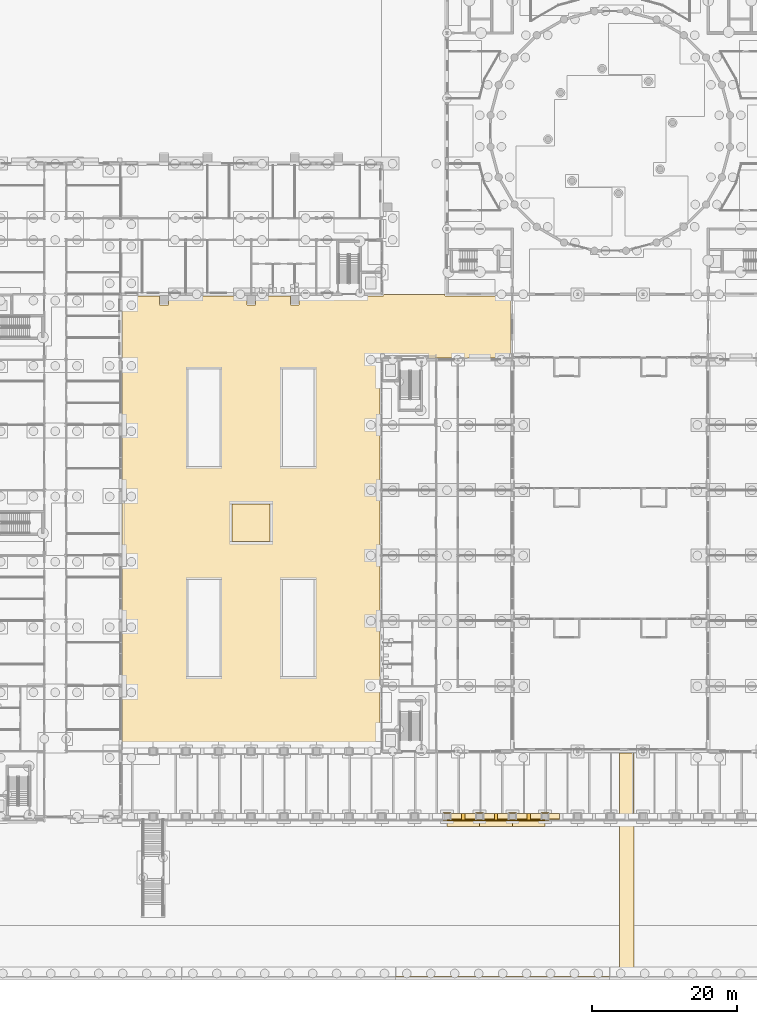
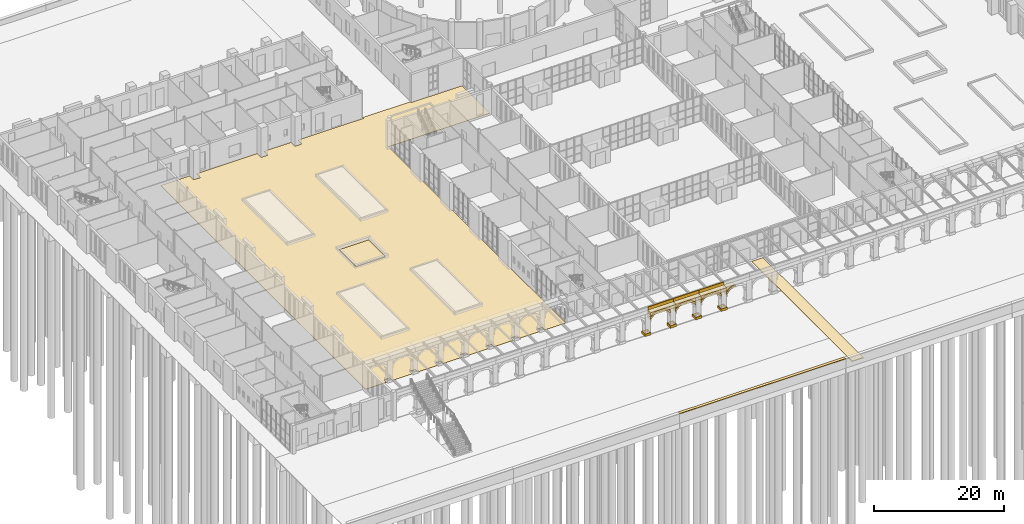
# One storey, part 131 of 168: 31 coverings.
"""IFC4 building model written with IfcOpenShell, lengths in metres."""

import ifcopenshell
import ifcopenshell.guid

model = None  # the IFC model being written
_history = None  # IfcOwnerHistory: only IFC2X3 demands one
_inside = {}  # id of a spatial element -> (the spatial element, [elements in it])
_under = {}  # id of a project, library or spatial element -> (it, [spatial elements below it])
_declared = {}  # id of a project -> (the project, [libraries it declares])
_typed = {}  # id of a type object -> (the type object, [elements of that type])
_made_of = {}  # id of a material, layer set ... -> (it, [elements and type objects made of it])


def new_model(schema):
    """Start an empty IFC model of exactly this schema.

    Asked for "IFC4X3", IfcOpenShell would pick the latest addendum, in which some entities
    have other attributes; the version numbers below select the first issue.
    IFC2X3 requires an IfcOwnerHistory on every rooted entity: one is made here for all.
    """
    global model, _history
    if schema == "IFC4X3":
        model = ifcopenshell.file(schema_version=(4, 3, 0, 0))
    else:
        model = ifcopenshell.file(schema=schema)
    _inside.clear()
    _under.clear()
    _declared.clear()
    _typed.clear()
    _made_of.clear()
    _history = None
    if model.schema == "IFC2X3":
        org = make("IfcOrganization", Name="unknown")
        user = make(
            "IfcPersonAndOrganization",
            ThePerson=make("IfcPerson", FamilyName="unknown"),
            TheOrganization=org,
        )
        app = make(
            "IfcApplication",
            ApplicationDeveloper=org,
            Version="unknown",
            ApplicationFullName="unknown",
            ApplicationIdentifier="unknown",
        )
        _history = make(
            "IfcOwnerHistory",
            OwningUser=user,
            OwningApplication=app,
            ChangeAction="ADDED",
            CreationDate=0,
        )
    return model


def make(cls, **values):
    """One entity of the class cls with the attributes given. An attribute that is None is left unset."""
    return model.create_entity(
        cls, **{name: value for name, value in values.items() if value is not None}
    )


def rooted(cls, **values):
    """An entity with a GlobalId (a new one), such as an element, a storey or a relation."""
    return make(cls, GlobalId=ifcopenshell.guid.new(), OwnerHistory=_history, **values)


def si_unit(unit_type, name, prefix=None):
    """IfcSIUnit, for example si_unit("LENGTHUNIT", "METRE", prefix="MILLI")."""
    return make("IfcSIUnit", UnitType=unit_type, Prefix=prefix, Name=name)


def assignment(units):
    """IfcUnitAssignment: the units of a project."""
    return None if units is None else make("IfcUnitAssignment", Units=units)


def point(xyz):
    """IfcCartesianPoint."""
    return None if xyz is None else make("IfcCartesianPoint", Coordinates=xyz)


def direction(xyz):
    """IfcDirection."""
    return None if xyz is None else make("IfcDirection", DirectionRatios=xyz)


def frame(location, z_axis=None, x_axis=None):
    """IfcAxis2Placement3D, a coordinate frame: its origin and axes. An axis left out is left unset."""
    return make(
        "IfcAxis2Placement3D",
        Location=point(location),
        Axis=direction(z_axis),
        RefDirection=direction(x_axis),
    )


def frame_2d(location, x_axis=None):
    """IfcAxis2Placement2D, a coordinate frame in the plane: its origin and x axis."""
    return make(
        "IfcAxis2Placement2D", Location=point(location), RefDirection=direction(x_axis)
    )


def origin():
    """The frame at (0, 0, 0) with its axes left unset."""
    return frame((0.0, 0.0, 0.0))


def origin_2d():
    """The frame at (0, 0) in the plane with its x axis left unset."""
    return frame_2d((0.0, 0.0))


def place(relative_to, where):
    """IfcLocalPlacement: puts the frame where relative to a parent placement (None: the world)."""
    return make(
        "IfcLocalPlacement", PlacementRelTo=relative_to, RelativePlacement=where
    )


def context(
    kind, dimensions, precision=None, world=None, true_north=None, identifier=None
):
    """IfcGeometricRepresentationContext, for example the 3D "Model" context."""
    return make(
        "IfcGeometricRepresentationContext",
        ContextIdentifier=identifier,
        ContextType=kind,
        CoordinateSpaceDimension=dimensions,
        Precision=precision,
        WorldCoordinateSystem=world,
        TrueNorth=true_north,
    )


def subcontext(parent, identifier, kind, view, scale=None):
    """IfcGeometricRepresentationSubContext, for example "Body" below "Model"."""
    return make(
        "IfcGeometricRepresentationSubContext",
        ContextIdentifier=identifier,
        ContextType=kind,
        ParentContext=parent,
        TargetScale=scale,
        TargetView=view,
    )


def project(units=None, contexts=None):
    """IfcProject with its units and contexts."""
    return rooted(
        "IfcProject",
        Name="project",
        RepresentationContexts=contexts,
        UnitsInContext=assignment(units),
    )


def spatial(cls, under=None, at=None, **own):
    """A site, building, storey or space (cls), placed at a placement, below another one or the project."""
    s = rooted(cls, ObjectPlacement=at, **own)
    if under is not None:
        _under.setdefault(under.id(), (under, []))[1].append(s)
    return s


def polyline(points):
    """IfcPolyline through the points."""
    return make("IfcPolyline", Points=[point(p) for p in points])


def profile(cls, at=None, kind="AREA", **sizes):
    """A parametric profile (cls). Its sizes go by their IFC names, for example OverallWidth=200.0."""
    return make(cls, ProfileType=kind, Position=at, **sizes)


def rectangle(**sizes):
    """IfcRectangleProfileDef."""
    return profile("IfcRectangleProfileDef", **sizes)


def outline(outer, holes=None, kind="AREA"):
    """IfcArbitraryClosedProfileDef: a profile drawn as a closed curve; with holes, ...WithVoids."""
    if holes is None:
        return make("IfcArbitraryClosedProfileDef", ProfileType=kind, OuterCurve=outer)
    return make(
        "IfcArbitraryProfileDefWithVoids",
        ProfileType=kind,
        OuterCurve=outer,
        InnerCurves=holes,
    )


def extrude(swept, where, along, depth):
    """IfcExtrudedAreaSolid: the profile swept, set in the frame where, extruded along a direction by depth."""
    return make(
        "IfcExtrudedAreaSolid",
        SweptArea=swept,
        Position=where,
        ExtrudedDirection=direction(along),
        Depth=depth,
    )


def shape(context_of_items, identifier, shape_type, items):
    """IfcShapeRepresentation: the items that make up one representation, for example the "Body"."""
    return make(
        "IfcShapeRepresentation",
        ContextOfItems=context_of_items,
        RepresentationIdentifier=identifier,
        RepresentationType=shape_type,
        Items=items,
    )


def material(Name=None, Category=None):
    """IfcMaterial."""
    return make("IfcMaterial", Name=Name, Category=Category)


def layer(
    of_material, thickness, ventilated=None, Name=None, Category=None, Priority=None
):
    """IfcMaterialLayer: one layer of a wall or slab, of a material (None: an air gap)."""
    return make(
        "IfcMaterialLayer",
        Material=of_material,
        LayerThickness=thickness,
        IsVentilated=ventilated,
        Name=Name,
        Category=Category,
        Priority=Priority,
    )


def layer_set(layers, Name=None):
    """IfcMaterialLayerSet."""
    return make("IfcMaterialLayerSet", MaterialLayers=layers, LayerSetName=Name)


def material_profile(
    of_material, cross_section, Name=None, Category=None, Priority=None
):
    """IfcMaterialProfile: a cross section and its material."""
    return make(
        "IfcMaterialProfile",
        Name=Name,
        Material=of_material,
        Profile=cross_section,
        Priority=Priority,
        Category=Category,
    )


def profile_set(profiles, Name=None, composite=None):
    """IfcMaterialProfileSet."""
    return make(
        "IfcMaterialProfileSet",
        Name=Name,
        MaterialProfiles=profiles,
        CompositeProfile=composite,
    )


def made_of(thing, what):
    """Note that an element or type object is made of a material, layer set ...; save() writes the relation."""
    if what is not None:
        _made_of.setdefault(what.id(), (what, []))[1].append(thing)
    return thing


def type_object(cls, material=None, **own):
    """A type object (cls), such as IfcWallType, which elements share."""
    return made_of(rooted(cls, **own), material)


def element(
    cls,
    number,
    at=None,
    inside=None,
    cuts=None,
    type_object=None,
    material=None,
    context=None,
    identifier="Body",
    shape_type=None,
    held_by="IfcProductDefinitionShape",
    body=None,
    shapes=None,
    **own,
):
    """One element of the class cls, such as IfcWall. Its Tag is "e" and its number.

    at: its placement. inside: the storey or other place that contains it. cuts: it is an
    opening in that element (IfcRelVoidsElement). A single representation is given by context,
    identifier, shape_type and body (its items); several are given by shapes. held_by: the class
    of the entity that holds the representations. save() writes the other relations.
    """
    e = rooted(cls, Tag="e%d" % number, ObjectPlacement=at, **own)
    if body is not None:
        shapes = [shape(context, identifier, shape_type, body)]
    if shapes is not None:
        e.Representation = make(held_by, Representations=shapes)
    if inside is not None:
        _inside.setdefault(inside.id(), (inside, []))[1].append(e)
    if cuts is not None:
        rooted(
            "IfcRelVoidsElement", RelatingBuildingElement=cuts, RelatedOpeningElement=e
        )
    if type_object is not None:
        _typed.setdefault(type_object.id(), (type_object, []))[1].append(e)
    return made_of(e, material)


def aggregate(whole, parts):
    """IfcRelAggregates: a whole, such as a stair, and the parts it consists of."""
    return rooted("IfcRelAggregates", RelatingObject=whole, RelatedObjects=parts)


def save(model, path):
    """Write the relations noted so far, then the file.

    IfcRelAggregates (storeys below a building ...), IfcRelContainedInSpatialStructure (elements
    in a storey), IfcRelDefinesByType, IfcRelAssociatesMaterial and IfcRelDeclares: one each for
    every whole, place, type object, material and project.
    """
    for whole, parts in _under.values():
        aggregate(whole, parts)
    for where, things in _inside.values():
        rooted(
            "IfcRelContainedInSpatialStructure",
            RelatedElements=things,
            RelatingStructure=where,
        )
    for kind, things in _typed.values():
        rooted("IfcRelDefinesByType", RelatedObjects=things, RelatingType=kind)
    for what, things in _made_of.values():
        rooted("IfcRelAssociatesMaterial", RelatedObjects=things, RelatingMaterial=what)
    for by, libraries in _declared.values():
        rooted("IfcRelDeclares", RelatingContext=by, RelatedDefinitions=libraries)
    model.write(path)


model = new_model("IFC4")

# Units and contexts
model_context = context("Model", 3, precision=1e-05, world=origin(), true_north=direction((0.0, 1.0)))
body_context = subcontext(model_context, "Body", "Model", "MODEL_VIEW")
ifc_project = project(units=[si_unit("LENGTHUNIT", "METRE"), si_unit("AREAUNIT", "SQUARE_METRE"), si_unit("VOLUMEUNIT", "CUBIC_METRE"), si_unit("PLANEANGLEUNIT", "RADIAN"), si_unit("MASSUNIT", "GRAM", prefix="KILO")], contexts=[model_context])

# Site, building, storey
site_placement = place(None, origin())
site = spatial("IfcSite", under=ifc_project, at=site_placement, CompositionType="ELEMENT")
building_placement = place(site_placement, origin())
building = spatial("IfcBuilding", under=site, at=building_placement, Name="Golden Quay Civic Hall", CompositionType="ELEMENT")
storey_placement = place(building_placement, origin())
storey = spatial("IfcBuildingStorey", under=building, at=storey_placement, Name="L00", CompositionType="ELEMENT", Elevation=0.0)

# Coverings
ifc_material_1 = material(Name="Ceramic tile")
ifc_layer_1 = layer(ifc_material_1, 0.0400390625)
ifc_layer_set_1 = layer_set([ifc_layer_1], Name="Basin lining 40")
covering_type_1 = type_object("IfcCoveringType", Name="Basin lining 40", PredefinedType="FLOORING", material=ifc_layer_set_1)
covering_1_placement = place(storey_placement, origin())
element("IfcCovering", 1, at=covering_1_placement, inside=storey, type_object=covering_type_1, Name="Fountain basin lining West Court", PredefinedType="FLOORING", context=body_context, shape_type="SweptSolid", body=[
    extrude(outline(polyline([(33.39990234375, 28.89990234375), (38.60009765625, 28.89990234375), (38.60009765625, 34.10009765625), (33.39990234375, 34.10009765625), (33.39990234375, 28.89990234375)])), origin(), (0.0, 0.0, 1.0), 0.0400390625),
])
ifc_material_2 = material(Name="Brick, dark clay facing", Category="masonry")
ifc_layer_2 = layer(ifc_material_2, 0.75)
ifc_layer_set_2 = layer_set([ifc_layer_2], Name="Brick arch spandrel infill 750")
covering_type_2 = type_object("IfcCoveringType", Name="Brick arch spandrel infill 750", PredefinedType="CLADDING", material=ifc_layer_set_2)
covering_2_placement = place(storey_placement, frame((63.449951171875, -9.300048828125, 3.17578125), z_axis=(0.0, -1.0, 0.0), x_axis=(0.707106781187, 0.0, 0.707106781187)))
element("IfcCovering", 2, at=covering_2_placement, inside=storey, type_object=covering_type_2, Name="Arch spandrel outer bay 11 left", PredefinedType="CLADDING", context=body_context, shape_type="SweptSolid", body=[
    extrude(outline(polyline([(0.0, 0.0), (0.0006905339660024879, 0.0), (0.35182705567826755, 0.004143203796014933), (0.6755148522419337, -0.02468658928458889), (0.9739981590465092, -0.08528094480130727), (1.2481401435494968, -0.17608616133063437), (1.4988039732084, -0.29589380443206603), (1.7083810318901549, -0.4322742627175573), (1.760861613306344, -0.46645569403468046), (1.767249052491867, -0.4600682548491575), (0.6535903988213547, 0.6535903988213547), (0.0, 0.0)])), origin(), (0.0, 0.0, -1.0), 0.75),
])
covering_3_placement = place(storey_placement, frame((65.47509765625, -9.300048828125, 4.091064453125), z_axis=(0.0, -1.0, 0.0), x_axis=(0.97842552974, 0.0, -0.206599813053)))
element("IfcCovering", 3, at=covering_3_placement, inside=storey, type_object=covering_type_2, Name="Arch spandrel outer bay 11 right", PredefinedType="CLADDING", context=body_context, shape_type="SweptSolid", body=[
    extrude(outline(polyline([(0.0, 0.0), (0.06263051710363293, 1.734723475976807e-18), (0.31267483867747137, -0.0001008788149670925), (0.5881025541456739, -0.03651242089648961), (0.8673750848258303, -0.11003975339043703), (1.1505561937424948, -0.22216655622637274), (1.4375212099073598, -0.3746658221616902), (1.7294911476562997, -0.5697749671774053), (1.7300697733119603, -0.5701518352031314), (1.539106176579233, 0.3342229342292182), (-0.0018662580768914177, 0.008838316552825392), (0.0, 0.0)])), origin(), (0.0, 0.0, -1.0), 0.75),
])
covering_4_placement = place(storey_placement, frame((67.949951171875, -9.300048828125, 3.17578125), z_axis=(0.0, -1.0, 0.0), x_axis=(0.707106781187, 0.0, 0.707106781187)))
element("IfcCovering", 4, at=covering_4_placement, inside=storey, type_object=covering_type_2, Name="Arch spandrel outer bay 12 left", PredefinedType="CLADDING", context=body_context, shape_type="SweptSolid", body=[
    extrude(outline(polyline([(0.0, 0.0), (0.0006905339660024879, 0.0), (0.35182705567826755, 0.004143203796014933), (0.6755148522419337, -0.02468658928458889), (0.9739981590465092, -0.08528094480130727), (1.2481401435494968, -0.17608616133063437), (1.4988039732084, -0.29589380443206603), (1.7083810318901549, -0.4322742627175573), (1.760861613306344, -0.46645569403468046), (1.767249052491867, -0.4600682548491575), (0.6535903988213547, 0.6535903988213547), (0.0, 0.0)])), origin(), (0.0, 0.0, -1.0), 0.75),
])
covering_5_placement = place(storey_placement, frame((69.97509765625, -9.300048828125, 4.091064453125), z_axis=(0.0, -1.0, 0.0), x_axis=(0.97842552974, 0.0, -0.206599813053)))
element("IfcCovering", 5, at=covering_5_placement, inside=storey, type_object=covering_type_2, Name="Arch spandrel outer bay 12 right", PredefinedType="CLADDING", context=body_context, shape_type="SweptSolid", body=[
    extrude(outline(polyline([(0.0, 0.0), (0.06263051710363293, 1.734723475976807e-18), (0.31267483867747137, -0.0001008788149670925), (0.5881025541456739, -0.03651242089648961), (0.8673750848258303, -0.11003975339043703), (1.1505561937424948, -0.22216655622637274), (1.4375212099073598, -0.3746658221616902), (1.7294911476562997, -0.5697749671774053), (1.7300697733119603, -0.5701518352031314), (1.539106176579233, 0.3342229342292182), (-0.0018662580768914177, 0.008838316552825392), (0.0, 0.0)])), origin(), (0.0, 0.0, -1.0), 0.75),
])
covering_6_placement = place(storey_placement, frame((72.449951171875, -9.300048828125, 3.17578125), z_axis=(0.0, -1.0, 0.0), x_axis=(0.707106781187, 0.0, 0.707106781187)))
element("IfcCovering", 6, at=covering_6_placement, inside=storey, type_object=covering_type_2, Name="Arch spandrel outer bay 13 left", PredefinedType="CLADDING", context=body_context, shape_type="SweptSolid", body=[
    extrude(outline(polyline([(0.0, 0.0), (0.0006905339660024879, 0.0), (0.35182705567826755, 0.004143203796014933), (0.6755148522419337, -0.02468658928458889), (0.9739981590465092, -0.08528094480130727), (1.2481401435494968, -0.17608616133063437), (1.4988039732084, -0.29589380443206603), (1.7083810318901549, -0.4322742627175573), (1.760861613306344, -0.46645569403468046), (1.767249052491867, -0.4600682548491575), (0.6535903988213547, 0.6535903988213547), (0.0, 0.0)])), origin(), (0.0, 0.0, -1.0), 0.75),
])
covering_7_placement = place(storey_placement, frame((74.47509765625, -9.300048828125, 4.091064453125), z_axis=(0.0, -1.0, 0.0), x_axis=(0.97842552974, 0.0, -0.206599813053)))
element("IfcCovering", 7, at=covering_7_placement, inside=storey, type_object=covering_type_2, Name="Arch spandrel outer bay 13 right", PredefinedType="CLADDING", context=body_context, shape_type="SweptSolid", body=[
    extrude(outline(polyline([(0.0, 0.0), (0.06263051710363293, 1.734723475976807e-18), (0.31267483867747137, -0.0001008788149670925), (0.5881025541456739, -0.03651242089648961), (0.8673750848258303, -0.11003975339043703), (1.1505561937424948, -0.22216655622637274), (1.4375212099073598, -0.3746658221616902), (1.7294911476562997, -0.5697749671774053), (1.7300697733119603, -0.5701518352031314), (1.539106176579233, 0.3342229342292182), (-0.0018662580768914177, 0.008838316552825392), (0.0, 0.0)])), origin(), (0.0, 0.0, -1.0), 0.75),
])
covering_8_placement = place(storey_placement, frame((76.949951171875, -9.300048828125, 3.17578125), z_axis=(0.0, -1.0, 0.0), x_axis=(0.707106781187, 0.0, 0.707106781187)))
element("IfcCovering", 8, at=covering_8_placement, inside=storey, type_object=covering_type_2, Name="Arch spandrel outer bay 14 left", PredefinedType="CLADDING", context=body_context, shape_type="SweptSolid", body=[
    extrude(outline(polyline([(0.0, 0.0), (0.0006905339660024879, 0.0), (0.35182705567826755, 0.004143203796014933), (0.6755148522419337, -0.02468658928458889), (0.9739981590465092, -0.08528094480130727), (1.2481401435494968, -0.17608616133063437), (1.4988039732084, -0.29589380443206603), (1.7083810318901549, -0.4322742627175573), (1.760861613306344, -0.46645569403468046), (1.767249052491867, -0.4600682548491575), (0.6535903988213547, 0.6535903988213547), (0.0, 0.0)])), origin(), (0.0, 0.0, -1.0), 0.75),
])
ifc_material_3 = material(Name="Clay brick paving", Category="masonry")
ifc_layer_3 = layer(ifc_material_3, 0.080078125)
ifc_layer_set_3 = layer_set([ifc_layer_3], Name="Clay brick paving 80")
covering_type_3 = type_object("IfcCoveringType", Name="Clay brick paving 80", PredefinedType="FLOORING", material=ifc_layer_set_3)
covering_9_placement = place(storey_placement, frame((0.0, 0.0, -0.080078125)))
element("IfcCovering", 9, at=covering_9_placement, inside=storey, type_object=covering_type_3, Name="West Court paving", PredefinedType="FLOORING", context=body_context, shape_type="SweptSolid", body=[
    extrude(outline(polyline([(62.75, 63.0), (62.75, 62.75), (62.800048828125, 62.75), (65.800048828125, 62.75), (67.60009765625, 62.75), (71.75, 62.75), (71.75, 54.25), (64.509033203125, 54.25), (64.490966796875, 54.25), (61.509033203125, 54.25), (61.490966796875, 54.25), (54.009033203125, 54.25), (53.75, 54.25), (53.75, 17.85498046875), (53.75, 9.14501953125), (53.75, -0.25), (50.0, -0.25), (50.0, 0.5), (49.0, 0.5), (49.0, -0.25), (45.5, -0.25), (45.5, 0.5), (44.5, 0.5), (44.5, -0.25), (41.0, -0.25), (41.0, 0.5), (40.0, 0.5), (40.0, -0.25), (36.5, -0.25), (36.5, 0.5), (35.5, 0.5), (35.5, -0.25), (32.0, -0.25), (32.0, 0.5), (31.0, 0.5), (31.0, -0.25), (27.5, -0.25), (27.5, 0.5), (26.5, 0.5), (26.5, -0.25), (23.0, -0.25), (23.0, 0.5), (22.0, 0.5), (22.0, -0.25), (18.25, -0.25), (18.25, -0.14990234375), (18.25, 0.14990234375), (18.25, 8.85009765625), (18.25, 9.14990234375), (18.25, 17.85009765625), (18.25, 18.14990234375), (18.25, 26.85009765625), (18.25, 27.14990234375), (18.25, 35.85009765625), (18.25, 36.14990234375), (18.25, 44.85009765625), (18.25, 45.14990234375), (18.25, 53.85009765625), (18.25, 54.14990234375), (18.25, 62.75), (23.39990234375, 62.75), (23.39990234375, 61.550048828125), (24.60009765625, 61.550048828125), (24.60009765625, 62.75), (26.989013671875, 62.75), (27.010986328125, 62.75), (35.39990234375, 62.75), (35.39990234375, 61.550048828125), (36.60009765625, 61.550048828125), (36.60009765625, 62.75), (41.39990234375, 62.75), (41.39990234375, 61.550048828125), (42.60009765625, 61.550048828125), (42.60009765625, 62.75), (44.989013671875, 62.75), (45.010986328125, 62.75), (53.989013671875, 62.75), (54.25, 62.75), (54.25, 63.0), (62.75, 63.0)])), origin(), (0.0, 0.0, 1.0), 0.080078125),
])
ifc_material_4 = material(Name="Granite paving", Category="masonry")
ifc_layer_4 = layer(ifc_material_4, 0.14990234375)
ifc_layer_set_4 = layer_set([ifc_layer_4], Name="Contrasting granite guidance paving 150")
covering_type_4 = type_object("IfcCoveringType", Name="Contrasting granite guidance paving 150", PredefinedType="FLOORING", material=ifc_layer_set_4)
covering_10_placement = place(storey_placement, frame((0.0, 0.0, -0.14990234375)))
element("IfcCovering", 10, at=covering_10_placement, inside=storey, type_object=covering_type_4, Name="Accessible route paving", PredefinedType="FLOORING", context=body_context, shape_type="SweptSolid", body=[
    extrude(outline(polyline([(88.75, -31.10009765625), (86.75, -31.10009765625), (86.75, -0.25), (88.75, -0.25), (88.75, -31.10009765625)])), origin(), (0.0, 0.0, 1.0), 0.14990234375),
])
ifc_material_5 = material(Name="Granite", Category="masonry")
ifc_layer_5 = layer(ifc_material_5, 0.10009765625)
ifc_layer_set_5 = layer_set([ifc_layer_5], Name="Granite wall coping 500 x 100")
covering_type_5 = type_object("IfcCoveringType", Name="Granite wall coping 500 x 100", PredefinedType="CLADDING", material=ifc_layer_set_5)
covering_11_placement = place(storey_placement, frame((0.0, 0.0, 1.10009765625)))
element("IfcCovering", 11, at=covering_11_placement, inside=storey, type_object=covering_type_5, Name="Quay wall coping run 3", PredefinedType="CLADDING", context=body_context, shape_type="SweptSolid", body=[
    extrude(outline(polyline([(55.919921875, -31.5), (85.39990234375, -31.5), (85.39990234375, -31.0), (55.919921875, -31.0), (55.919921875, -31.5)])), origin(), (0.0, 0.0, 1.0), 0.099853515625),
])
ifc_material_6 = material(Name="Stone, buff limestone", Category="masonry")
ifc_layer_6 = layer(ifc_material_6, 0.89990234375)
ifc_layer_set_6 = layer_set([ifc_layer_6], Name="Stone arch keystone 450 x 420")
covering_type_6 = type_object("IfcCoveringType", Name="Stone arch keystone 450 x 420", PredefinedType="CLADDING", material=ifc_layer_set_6)
for number, where, z_axis, x_axis, name in (
    (12, (65.02490234375, -9.449951171875, 3.679931640625), (0.0, -1.0, 0.0), (1.0, 0.0, 0.0), "Arch keystone outer bay 11 crown"),
    (13, (69.52490234375, -9.449951171875, 3.679931640625), (0.0, -1.0, 0.0), (1.0, 0.0, 0.0), "Arch keystone outer bay 12 crown"),
    (14, (74.02490234375, -9.449951171875, 3.679931640625), (0.0, -1.0, 0.0), (1.0, 0.0, 0.0), "Arch keystone outer bay 13 crown"),
):
    element("IfcCovering", number, at=place(storey_placement, frame(where, z_axis=z_axis, x_axis=x_axis)), inside=storey, type_object=covering_type_6, Name=name, PredefinedType="CLADDING", context=body_context, shape_type="SweptSolid", body=[
        extrude(outline(polyline([(0.0, 0.0), (0.4501953125, 0.0), (0.4501953125, 0.420166015625), (0.0, 0.420166015625), (0.0, 0.0)])), origin(), (0.0, 0.0, -1.0), 0.89990234375),
    ])
ifc_material_7 = material(Name="Stone, buff limestone", Category="masonry")
ifc_layer_7 = layer(ifc_material_7, 0.89990234375)
ifc_layer_set_7 = layer_set([ifc_layer_7], Name="Stone arch ring 900 x 300")
covering_type_7 = type_object("IfcCoveringType", Name="Stone arch ring 900 x 300", PredefinedType="CLADDING", material=ifc_layer_set_7)
covering_12_placement = place(storey_placement, frame((63.449951171875, -9.449951171875, 2.699951171875), z_axis=(0.0, -1.0, 0.0), x_axis=(0.630180832165, 0.0, 0.776448400585)))
element("IfcCovering", 15, at=covering_12_placement, inside=storey, type_object=covering_type_7, Name="Arch ring outer bay 11 left", PredefinedType="CLADDING", context=body_context, shape_type="SweptSolid", body=[
    extrude(outline(polyline([(0.0, 0.0), (0.3571953394339093, 0.0), (0.6778408073481526, -0.02935016390994566), (0.9656562359875701, -0.08566026756533418), (1.2233312115769217, -0.1664329572349489), (1.452986632547569, -0.2696324374142566), (1.6564467051663616, -0.39440701136103273), (1.8345410995356382, -0.5394544374263122), (2.0726317223713804, -0.3462153931881483), (2.023967866388838, -0.30678937647863513), (1.8296201479431229, -0.14946443483618055), (1.5926919309667726, -0.004373956702034887), (1.3294118430005957, 0.11429790304869314), (1.038796361200025, 0.20543846536483718), (0.7198262528649223, 0.2675916358552039), (0.37014433379061235, 0.2997875748909126), (0.36945750311055836, 0.2998589946020553), (0.0, 0.0)])), origin(), (0.0, 0.0, -1.0), 0.89990234375),
])
covering_13_placement = place(storey_placement, frame((65.47509765625, -9.449951171875, 3.784423828125), z_axis=(0.0, -1.0, 0.0), x_axis=(0.978953882547, 0.0, -0.20408159115)))
element("IfcCovering", 16, at=covering_13_placement, inside=storey, type_object=covering_type_7, Name="Arch ring outer bay 11 right", PredefinedType="CLADDING", context=body_context, shape_type="SweptSolid", body=[
    extrude(outline(polyline([(0.0, 0.0), (0.22968754671057404, 0.0), (0.4662407685933837, -0.031737496286033756), (0.7094806084662527, -0.09674615254891705), (0.9602836680123576, -0.19683833887607075), (1.2190088401055397, -0.33493190882748347), (1.486164491441282, -0.5146617232013373), (1.7631254697749046, -0.7402301762123651), (1.666017310314196, -0.27441447379927847), (1.665439656274305, -0.27403611818824464), (1.3739727106559259, -0.07817636573824266), (1.0874010326963535, 0.07506077076837225), (0.8045093690852512, 0.18791584163726896), (0.5254269523975812, 0.26216151297199447), (0.25009383740278873, 0.29928162385615015), (5.060311670204709e-05, 0.3000258789264141), (-0.06257970666118522, 0.30018703039037287), (0.0, 0.0)])), origin(), (0.0, 0.0, -1.0), 0.89990234375),
])
covering_14_placement = place(storey_placement, frame((67.949951171875, -9.449951171875, 2.699951171875), z_axis=(0.0, -1.0, 0.0), x_axis=(0.630180832165, 0.0, 0.776448400585)))
element("IfcCovering", 17, at=covering_14_placement, inside=storey, type_object=covering_type_7, Name="Arch ring outer bay 12 left", PredefinedType="CLADDING", context=body_context, shape_type="SweptSolid", body=[
    extrude(outline(polyline([(0.0, 0.0), (0.3571953394339093, 0.0), (0.6778408073481526, -0.02935016390994566), (0.9656562359875701, -0.08566026756533418), (1.2233312115769217, -0.1664329572349489), (1.452986632547569, -0.2696324374142566), (1.6564467051663616, -0.39440701136103273), (1.8345410995356382, -0.5394544374263122), (2.0726317223713804, -0.3462153931881483), (2.023967866388838, -0.30678937647863513), (1.8296201479431229, -0.14946443483618055), (1.5926919309667726, -0.004373956702034887), (1.3294118430005957, 0.11429790304869314), (1.038796361200025, 0.20543846536483718), (0.7198262528649223, 0.2675916358552039), (0.37014433379061235, 0.2997875748909126), (0.36945750311055836, 0.2998589946020553), (0.0, 0.0)])), origin(), (0.0, 0.0, -1.0), 0.89990234375),
])
covering_15_placement = place(storey_placement, frame((69.97509765625, -9.449951171875, 3.784423828125), z_axis=(0.0, -1.0, 0.0), x_axis=(0.978953882547, 0.0, -0.20408159115)))
element("IfcCovering", 18, at=covering_15_placement, inside=storey, type_object=covering_type_7, Name="Arch ring outer bay 12 right", PredefinedType="CLADDING", context=body_context, shape_type="SweptSolid", body=[
    extrude(outline(polyline([(0.0, 0.0), (0.22968754671057404, 0.0), (0.4662407685933837, -0.031737496286033756), (0.7094806084662527, -0.09674615254891705), (0.9602836680123576, -0.19683833887607075), (1.2190088401055397, -0.33493190882748347), (1.486164491441282, -0.5146617232013373), (1.7631254697749046, -0.7402301762123651), (1.666017310314196, -0.27441447379927847), (1.665439656274305, -0.27403611818824464), (1.3739727106559259, -0.07817636573824266), (1.0874010326963535, 0.07506077076837225), (0.8045093690852512, 0.18791584163726896), (0.5254269523975812, 0.26216151297199447), (0.25009383740278873, 0.29928162385615015), (5.060311670204709e-05, 0.3000258789264141), (-0.06257970666118522, 0.30018703039037287), (0.0, 0.0)])), origin(), (0.0, 0.0, -1.0), 0.89990234375),
])
covering_16_placement = place(storey_placement, frame((72.449951171875, -9.449951171875, 2.699951171875), z_axis=(0.0, -1.0, 0.0), x_axis=(0.630180832165, 0.0, 0.776448400585)))
element("IfcCovering", 19, at=covering_16_placement, inside=storey, type_object=covering_type_7, Name="Arch ring outer bay 13 left", PredefinedType="CLADDING", context=body_context, shape_type="SweptSolid", body=[
    extrude(outline(polyline([(0.0, 0.0), (0.3571953394339093, 0.0), (0.6778408073481526, -0.02935016390994566), (0.9656562359875701, -0.08566026756533418), (1.2233312115769217, -0.1664329572349489), (1.452986632547569, -0.2696324374142566), (1.6564467051663616, -0.39440701136103273), (1.8345410995356382, -0.5394544374263122), (2.0726317223713804, -0.3462153931881483), (2.023967866388838, -0.30678937647863513), (1.8296201479431229, -0.14946443483618055), (1.5926919309667726, -0.004373956702034887), (1.3294118430005957, 0.11429790304869314), (1.038796361200025, 0.20543846536483718), (0.7198262528649223, 0.2675916358552039), (0.37014433379061235, 0.2997875748909126), (0.36945750311055836, 0.2998589946020553), (0.0, 0.0)])), origin(), (0.0, 0.0, -1.0), 0.89990234375),
])
covering_17_placement = place(storey_placement, frame((74.47509765625, -9.449951171875, 3.784423828125), z_axis=(0.0, -1.0, 0.0), x_axis=(0.978953882547, 0.0, -0.20408159115)))
element("IfcCovering", 20, at=covering_17_placement, inside=storey, type_object=covering_type_7, Name="Arch ring outer bay 13 right", PredefinedType="CLADDING", context=body_context, shape_type="SweptSolid", body=[
    extrude(outline(polyline([(0.0, 0.0), (0.22968754671057404, 0.0), (0.4662407685933837, -0.031737496286033756), (0.7094806084662527, -0.09674615254891705), (0.9602836680123576, -0.19683833887607075), (1.2190088401055397, -0.33493190882748347), (1.486164491441282, -0.5146617232013373), (1.7631254697749046, -0.7402301762123651), (1.666017310314196, -0.27441447379927847), (1.665439656274305, -0.27403611818824464), (1.3739727106559259, -0.07817636573824266), (1.0874010326963535, 0.07506077076837225), (0.8045093690852512, 0.18791584163726896), (0.5254269523975812, 0.26216151297199447), (0.25009383740278873, 0.29928162385615015), (5.060311670204709e-05, 0.3000258789264141), (-0.06257970666118522, 0.30018703039037287), (0.0, 0.0)])), origin(), (0.0, 0.0, -1.0), 0.89990234375),
])
covering_18_placement = place(storey_placement, frame((76.949951171875, -9.449951171875, 2.699951171875), z_axis=(0.0, -1.0, 0.0), x_axis=(0.630180832165, 0.0, 0.776448400585)))
element("IfcCovering", 21, at=covering_18_placement, inside=storey, type_object=covering_type_7, Name="Arch ring outer bay 14 left", PredefinedType="CLADDING", context=body_context, shape_type="SweptSolid", body=[
    extrude(outline(polyline([(0.0, 0.0), (0.3571953394339093, 0.0), (0.6778408073481526, -0.02935016390994566), (0.9656562359875701, -0.08566026756533418), (1.2233312115769217, -0.1664329572349489), (1.452986632547569, -0.2696324374142566), (1.6564467051663616, -0.39440701136103273), (1.8345410995356382, -0.5394544374263122), (2.0726317223713804, -0.3462153931881483), (2.023967866388838, -0.30678937647863513), (1.8296201479431229, -0.14946443483618055), (1.5926919309667726, -0.004373956702034887), (1.3294118430005957, 0.11429790304869314), (1.038796361200025, 0.20543846536483718), (0.7198262528649223, 0.2675916358552039), (0.37014433379061235, 0.2997875748909126), (0.36945750311055836, 0.2998589946020553), (0.0, 0.0)])), origin(), (0.0, 0.0, -1.0), 0.89990234375),
])
ifc_material_8 = material(Name="Stone, buff limestone", Category="masonry")
ifc_material_profile_1 = material_profile(ifc_material_8, rectangle(XDim=0.89990234375, YDim=0.60009765625, at=origin_2d()), Name="RC 900x600")
ifc_profile_set_1 = profile_set([ifc_material_profile_1], Name="Stone, buff limestone")
covering_type_8 = type_object("IfcCoveringType", Name="Stone cornice 900 x 600", PredefinedType="MOLDING", material=ifc_profile_set_1)
for number, where, z_axis, x_axis, name in (
    (22, (63.0, -9.89990234375, 4.5), (1.0, 0.0, 0.0), (0.0, 1.0, 0.0), "Stone cornice outer bay 11"),
    (23, (67.5, -9.89990234375, 4.5), (1.0, 0.0, 0.0), (0.0, 1.0, 0.0), "Stone cornice outer bay 12"),
    (24, (72.0, -9.89990234375, 4.5), (1.0, 0.0, 0.0), (0.0, 1.0, 0.0), "Stone cornice outer bay 13"),
):
    element("IfcCovering", number, at=place(storey_placement, frame(where, z_axis=z_axis, x_axis=x_axis)), inside=storey, type_object=covering_type_8, Name=name, PredefinedType="MOLDING", context=body_context, shape_type="SweptSolid", body=[
        extrude(rectangle(XDim=0.89990234375, YDim=0.60009765625, at=origin_2d()), origin(), (0.0, 0.0, 1.0), 4.5),
    ])
ifc_material_9 = material(Name="Stone, buff limestone", Category="masonry")
ifc_layer_8 = layer(ifc_material_9, 0.449951171875)
ifc_layer_set_8 = layer_set([ifc_layer_8], Name="Stone pier plinth 450")
covering_type_9 = type_object("IfcCoveringType", Name="Stone pier plinth 450", PredefinedType="CLADDING", material=ifc_layer_set_8)
covering_19_placement = place(storey_placement, origin())
element("IfcCovering", 25, at=covering_19_placement, inside=storey, type_object=covering_type_9, Name="Pier plinth outer 63", PredefinedType="CLADDING", context=body_context, shape_type="SweptSolid", body=[
    extrude(outline(polyline([(62.449951171875, -9.550048828125), (63.550048828125, -9.550048828125), (63.550048828125, -8.449951171875), (62.449951171875, -8.449951171875), (62.449951171875, -9.550048828125)]), holes=[polyline([(62.550048828125, -9.449951171875), (63.449951171875, -9.449951171875), (63.449951171875, -8.550048828125), (62.550048828125, -8.550048828125), (62.550048828125, -9.449951171875)])]), origin(), (0.0, 0.0, 1.0), 0.449951171875),
])
covering_20_placement = place(storey_placement, origin())
element("IfcCovering", 26, at=covering_20_placement, inside=storey, type_object=covering_type_9, Name="Pier plinth outer 67.5", PredefinedType="CLADDING", context=body_context, shape_type="SweptSolid", body=[
    extrude(outline(polyline([(66.949951171875, -9.550048828125), (68.050048828125, -9.550048828125), (68.050048828125, -8.449951171875), (66.949951171875, -8.449951171875), (66.949951171875, -9.550048828125)]), holes=[polyline([(67.050048828125, -9.449951171875), (67.949951171875, -9.449951171875), (67.949951171875, -8.550048828125), (67.050048828125, -8.550048828125), (67.050048828125, -9.449951171875)])]), origin(), (0.0, 0.0, 1.0), 0.449951171875),
])
covering_21_placement = place(storey_placement, origin())
element("IfcCovering", 27, at=covering_21_placement, inside=storey, type_object=covering_type_9, Name="Pier plinth outer 72", PredefinedType="CLADDING", context=body_context, shape_type="SweptSolid", body=[
    extrude(outline(polyline([(71.449951171875, -9.550048828125), (72.550048828125, -9.550048828125), (72.550048828125, -8.449951171875), (71.449951171875, -8.449951171875), (71.449951171875, -9.550048828125)]), holes=[polyline([(71.550048828125, -9.449951171875), (72.449951171875, -9.449951171875), (72.449951171875, -8.550048828125), (71.550048828125, -8.550048828125), (71.550048828125, -9.449951171875)])]), origin(), (0.0, 0.0, 1.0), 0.449951171875),
])
covering_22_placement = place(storey_placement, origin())
element("IfcCovering", 28, at=covering_22_placement, inside=storey, type_object=covering_type_9, Name="Pier plinth outer 76.5", PredefinedType="CLADDING", context=body_context, shape_type="SweptSolid", body=[
    extrude(outline(polyline([(75.949951171875, -9.550048828125), (77.050048828125, -9.550048828125), (77.050048828125, -8.449951171875), (75.949951171875, -8.449951171875), (75.949951171875, -9.550048828125)]), holes=[polyline([(76.050048828125, -9.449951171875), (76.949951171875, -9.449951171875), (76.949951171875, -8.550048828125), (76.050048828125, -8.550048828125), (76.050048828125, -9.449951171875)])]), origin(), (0.0, 0.0, 1.0), 0.449951171875),
])
ifc_material_10 = material(Name="Stone, buff limestone", Category="masonry")
ifc_material_profile_2 = material_profile(ifc_material_10, rectangle(XDim=0.14990234375, YDim=0.60009765625, at=origin_2d()), Name="RC 150x600")
ifc_profile_set_2 = profile_set([ifc_material_profile_2], Name="Stone, buff limestone")
covering_type_10 = type_object("IfcCoveringType", Name="Stone terrace fascia 150 x 600", PredefinedType="CLADDING", material=ifc_profile_set_2)
for number, where, z_axis, x_axis, name in (
    (29, (63.0, -9.47509765625, 5.10009765625), (1.0, 0.0, 0.0), (0.0, 1.0, 0.0), "Terrace fascia bay 11"),
    (30, (67.5, -9.47509765625, 5.10009765625), (1.0, 0.0, 0.0), (0.0, 1.0, 0.0), "Terrace fascia bay 12"),
    (31, (72.0, -9.47509765625, 5.10009765625), (1.0, 0.0, 0.0), (0.0, 1.0, 0.0), "Terrace fascia bay 13"),
):
    element("IfcCovering", number, at=place(storey_placement, frame(where, z_axis=z_axis, x_axis=x_axis)), inside=storey, type_object=covering_type_10, Name=name, PredefinedType="CLADDING", context=body_context, shape_type="SweptSolid", body=[
        extrude(rectangle(XDim=0.14990234375, YDim=0.60009765625, at=origin_2d()), origin(), (0.0, 0.0, 1.0), 4.5),
    ])

save(model, "model.ifc")
